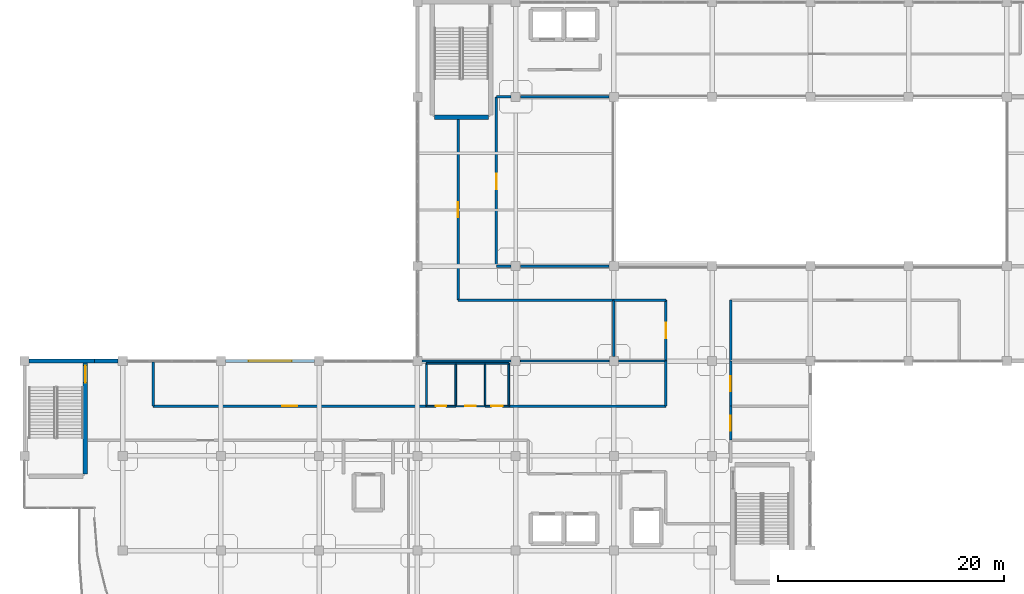
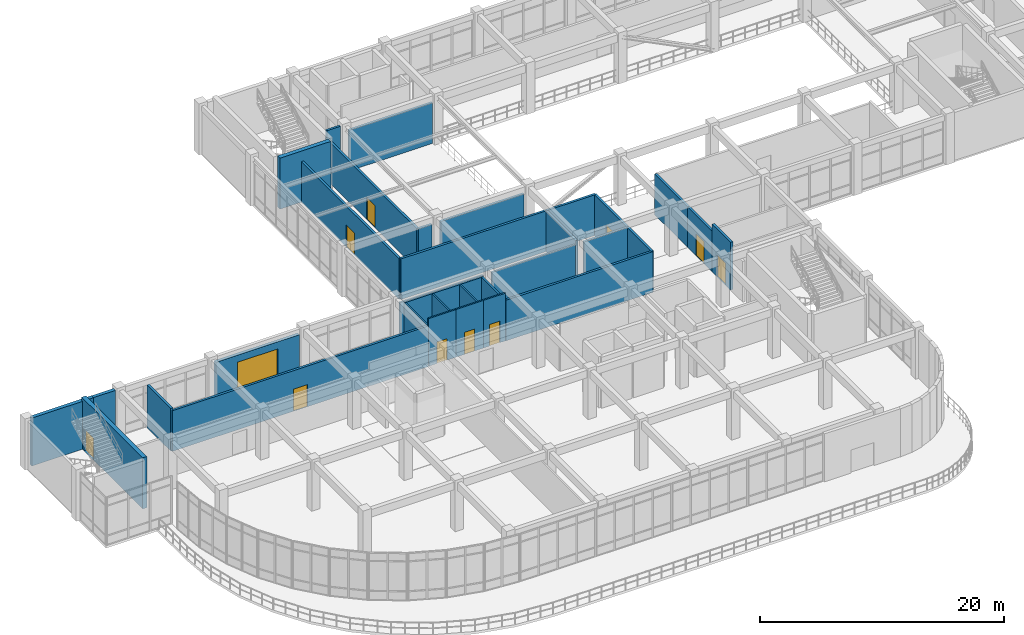
# One storey, part 80 of 96: 35 walls, 10 doors, 1 window, 11 openings.
"""IFC4 building model written with IfcOpenShell, lengths in metres."""

from ifc_helpers import new_model, si_unit, derived_unit, direction, frame, frame_2d, origin, place, context, subcontext, project, spatial, rectangle, extrude, material, layer, layer_set, type_object, element, fill, save


model = new_model("IFC4")

# Units and contexts
model_context = context("Model", 3, precision=1e-05, world=origin(), true_north=direction((0.0, 1.0)))
body_context = subcontext(model_context, "Body", "Model", "MODEL_VIEW")
ifc_project = project(units=[si_unit("LENGTHUNIT", "METRE"), si_unit("AREAUNIT", "SQUARE_METRE"), si_unit("VOLUMEUNIT", "CUBIC_METRE"), si_unit("PLANEANGLEUNIT", "RADIAN"), si_unit("MASSUNIT", "GRAM", prefix="KILO"), derived_unit("THERMALTRANSMITTANCEUNIT", [(si_unit("MASSUNIT", "GRAM", prefix="KILO"), 1), (si_unit("TIMEUNIT", "SECOND"), -3), (si_unit("THERMODYNAMICTEMPERATUREUNIT", "KELVIN"), -1)])], contexts=[model_context])

# Site, building, storey
site_placement = place(None, origin())
site = spatial("IfcSite", under=ifc_project, at=site_placement, CompositionType="ELEMENT")
building_placement = place(site_placement, origin())
building = spatial("IfcBuilding", under=site, at=building_placement, Name="Qinzheling Arcade Emporium", CompositionType="ELEMENT")
storey_placement = place(building_placement, frame((0.0, 0.0, 21.60009765625)))
storey = spatial("IfcBuildingStorey", under=building, at=storey_placement, Name="L05", CompositionType="ELEMENT", Elevation=21.60009765625)

# Wall, opening, door
ifc_material_1 = material(Name="Double-stud acoustic gypsum board partition")
ifc_layer_1 = layer(ifc_material_1, 0.215087890625, Name="Double-stud acoustic gypsum board partition")
ifc_layer_set_1 = layer_set([ifc_layer_1], Name="Double-stud acoustic gypsum board partition")
wall_type_1 = type_object("IfcWallType", Name="Acoustic Corridor Partition Wall 215", PredefinedType="PARTITIONING", material=ifc_layer_set_1)
wall_1_placement = place(storey_placement, frame((62.550048828125, 42.0, 0.0), z_axis=(0.0, 0.0, 1.0), x_axis=(0.0, -1.0, 0.0)))
wall_1 = element("IfcWall", 1, at=wall_1_placement, inside=storey, type_object=wall_type_1, Name="Interior Wall WL-L05-INT-0739", PredefinedType="PARTITIONING", context=body_context, shape_type="SweptSolid", body=[
    extrude(rectangle(XDim=4.0, YDim=0.215087890625, at=frame_2d((2.0, 0.0))), origin(), (0.0, 0.0, 1.0), 4.059814453125),
])
opening_1_placement = place(wall_1_placement, frame((1.324951171875, 0.0, 0.0)))
opening_1 = element("IfcOpeningElement", 2, at=opening_1_placement, cuts=wall_1, Name="Opening FD05", PredefinedType="OPENING", context=body_context, shape_type="SweptSolid", body=[
    extrude(rectangle(XDim=1.35009765625, YDim=2.199951171875, at=frame_2d((0.675048828125, 1.10009765625))), frame((0.0, 0.11767578125, 0.0), z_axis=(0.0, -1.0, 0.0), x_axis=(1.0, 0.0, 0.0)), (0.0, 0.0, 1.0), 0.235107421875),
])
ifc_material_2 = material(Name="Class B fire-rated stainless-clad door")
door_type_1 = type_object("IfcDoorType", Name="Kitchen Fire-Rated Service Door 1350x2200", OperationType="NOTDEFINED", PredefinedType="DOOR", material=ifc_material_2)
door_1_placement = place(opening_1_placement, origin())
door_1 = element("IfcDoor", 3, at=door_1_placement, inside=storey, type_object=door_type_1, Name="FD05 Interior Door DR-L05-INT-0206", OperationType="SINGLE_SWING_LEFT", OverallHeight=2.199951171875, OverallWidth=1.35009765625, PredefinedType="DOOR", context=body_context, shape_type="SweptSolid", body=[
    extrude(rectangle(XDim=1.35009765625, YDim=2.199951171875, at=frame_2d((0.675048828125, 1.10009765625))), frame((0.0, 0.02490234375, 0.0), z_axis=(0.0, -1.0, 0.0), x_axis=(1.0, 0.0, 0.0)), (0.0, 0.0, 1.0), 0.050048828125),
])
fill(opening_1, door_1)

# Wall
wall_2_placement = place(storey_placement, frame((11.39990234375, 41.89990234375, 0.0), z_axis=(0.0, 0.0, 1.0), x_axis=(0.0, -1.0, 0.0)))
element("IfcWall", 4, at=wall_2_placement, inside=storey, type_object=wall_type_1, Name="Interior Wall WL-L05-INT-0740", PredefinedType="PARTITIONING", context=body_context, shape_type="SweptSolid", body=[
    extrude(rectangle(XDim=3.89990234375, YDim=0.215087890625, at=frame_2d((1.949951171875, 0.0))), origin(), (0.0, 0.0, 1.0), 4.260009765625),
])

# Wall, opening, door
wall_3_placement = place(storey_placement, frame((11.39990234375, 38.0, 0.0), z_axis=(0.0, 0.0, 1.0), x_axis=(1.0, 0.0, 0.0)))
wall_3 = element("IfcWall", 5, at=wall_3_placement, inside=storey, type_object=wall_type_1, Name="Interior Wall WL-L05-INT-0741", PredefinedType="PARTITIONING", context=body_context, shape_type="SweptSolid", body=[
    extrude(rectangle(XDim=24.2001953125, YDim=0.215087890625, at=frame_2d((12.10009765625, 0.0))), origin(), (0.0, 0.0, 1.0), 4.059814453125),
])
opening_2_placement = place(wall_3_placement, frame((11.425048828125, 0.0, 0.0)))
opening_2 = element("IfcOpeningElement", 6, at=opening_2_placement, cuts=wall_3, Name="Opening FD05", PredefinedType="OPENING", context=body_context, shape_type="SweptSolid", body=[
    extrude(rectangle(XDim=1.35009765625, YDim=2.199951171875, at=frame_2d((0.675048828125, 1.10009765625))), frame((0.0, 0.11767578125, 0.0), z_axis=(0.0, -1.0, 0.0), x_axis=(1.0, 0.0, 0.0)), (0.0, 0.0, 1.0), 0.235107421875),
])
door_2_placement = place(opening_2_placement, origin())
door_2 = element("IfcDoor", 7, at=door_2_placement, inside=storey, type_object=door_type_1, Name="FD05 Interior Door DR-L05-INT-0207", OperationType="SINGLE_SWING_RIGHT", OverallHeight=2.199951171875, OverallWidth=1.35009765625, PredefinedType="DOOR", context=body_context, shape_type="SweptSolid", body=[
    extrude(rectangle(XDim=1.35009765625, YDim=2.199951171875, at=frame_2d((0.675048828125, 1.10009765625))), frame((0.0, 0.02490234375, 0.0), z_axis=(0.0, -1.0, 0.0), x_axis=(1.0, 0.0, 0.0)), (0.0, 0.0, 1.0), 0.050048828125),
])
fill(opening_2, door_2)

# Walls
wall_4_placement = place(storey_placement, frame((42.89990234375, 38.0, 0.0), z_axis=(0.0, 0.0, 1.0), x_axis=(1.0, 0.0, 0.0)))
element("IfcWall", 8, at=wall_4_placement, inside=storey, type_object=wall_type_1, Name="Interior Wall WL-L05-INT-0742", PredefinedType="PARTITIONING", context=body_context, shape_type="SweptSolid", body=[
    extrude(rectangle(XDim=13.900146484375, YDim=0.215087890625, at=frame_2d((6.9501953125, 0.0))), origin(), (0.0, 0.0, 1.0), 4.059814453125),
])
wall_5_placement = place(storey_placement, frame((56.800048828125, 38.0, 0.0), z_axis=(0.0, 0.0, 1.0), x_axis=(0.0, 1.0, 0.0)))
element("IfcWall", 9, at=wall_5_placement, inside=storey, type_object=wall_type_1, Name="Interior Wall WL-L05-INT-0743", PredefinedType="PARTITIONING", context=body_context, shape_type="SweptSolid", body=[
    extrude(rectangle(XDim=4.0, YDim=0.215087890625, at=frame_2d((2.0, 0.0))), origin(), (0.0, 0.0, 1.0), 4.059814453125),
])
wall_6_placement = place(storey_placement, frame((52.199951171875, 47.39990234375, 0.0), z_axis=(0.0, 0.0, 1.0), x_axis=(-1.0, 0.0, 0.0)))
element("IfcWall", 10, at=wall_6_placement, inside=storey, type_object=wall_type_1, Name="Interior Wall WL-L05-INT-0752", PredefinedType="PARTITIONING", context=body_context, shape_type="SweptSolid", body=[
    extrude(rectangle(XDim=13.800048828125, YDim=0.215087890625, at=frame_2d((6.89990234375, 0.0))), origin(), (0.0, 0.0, 1.0), 4.059814453125),
])

# Wall, opening, door
wall_7_placement = place(storey_placement, frame((38.39990234375, 47.39990234375, 0.0), z_axis=(0.0, 0.0, 1.0), x_axis=(0.0, 1.0, 0.0)))
wall_7 = element("IfcWall", 11, at=wall_7_placement, inside=storey, type_object=wall_type_1, Name="Interior Wall WL-L05-INT-0753", PredefinedType="PARTITIONING", context=body_context, shape_type="SweptSolid", body=[
    extrude(rectangle(XDim=15.9951171875, YDim=0.215087890625, at=frame_2d((7.99755859375, 0.0))), origin(), (0.0, 0.0, 1.0), 4.059814453125),
])
opening_3_placement = place(wall_7_placement, frame((7.322998046875, 0.0, 0.0)))
opening_3 = element("IfcOpeningElement", 12, at=opening_3_placement, cuts=wall_7, Name="Opening FD05", PredefinedType="OPENING", context=body_context, shape_type="SweptSolid", body=[
    extrude(rectangle(XDim=1.35009765625, YDim=2.199951171875, at=frame_2d((0.675048828125, 1.10009765625))), frame((0.0, 0.11767578125, 0.0), z_axis=(0.0, -1.0, 0.0), x_axis=(1.0, 0.0, 0.0)), (0.0, 0.0, 1.0), 0.235107421875),
])
door_3_placement = place(opening_3_placement, origin())
door_3 = element("IfcDoor", 13, at=door_3_placement, inside=storey, type_object=door_type_1, Name="FD05 Interior Door DR-L05-INT-0210", OperationType="SINGLE_SWING_LEFT", OverallHeight=2.199951171875, OverallWidth=1.35009765625, PredefinedType="DOOR", context=body_context, shape_type="SweptSolid", body=[
    extrude(rectangle(XDim=1.35009765625, YDim=2.199951171875, at=frame_2d((0.675048828125, 1.10009765625))), frame((0.0, 0.02490234375, 0.0), z_axis=(0.0, -1.0, 0.0), x_axis=(1.0, 0.0, 0.0)), (0.0, 0.0, 1.0), 0.050048828125),
])
fill(opening_3, door_3)

# Walls
wall_8_placement = place(storey_placement, frame((51.7900390625, 65.39990234375, 0.0), z_axis=(0.0, 0.0, 1.0), x_axis=(-1.0, 0.0, 0.0)))
element("IfcWall", 14, at=wall_8_placement, inside=storey, type_object=wall_type_1, Name="Interior Wall WL-L05-INT-0754", PredefinedType="PARTITIONING", context=body_context, shape_type="SweptSolid", body=[
    extrude(rectangle(XDim=7.880126953125, YDim=0.215087890625, at=frame_2d((3.93994140625, 0.0))), origin(), (0.0, 0.0, 1.0), 4.059814453125),
])
wall_9_placement = place(storey_placement, frame((43.090087890625, 65.39990234375, 0.0), z_axis=(0.0, 0.0, 1.0), x_axis=(-1.0, 0.0, 0.0)))
element("IfcWall", 15, at=wall_9_placement, inside=storey, type_object=wall_type_1, Name="Interior Wall WL-L05-INT-0755", PredefinedType="PARTITIONING", context=body_context, shape_type="SweptSolid", body=[
    extrude(rectangle(XDim=1.2900390625, YDim=0.215087890625, at=frame_2d((0.64501953125, 0.0))), origin(), (0.0, 0.0, 1.0), 4.760009765625),
])

# Wall, opening, door
wall_10_placement = place(storey_placement, frame((41.800048828125, 65.39990234375, 0.0), z_axis=(0.0, 0.0, 1.0), x_axis=(0.0, -1.0, 0.0)))
wall_10 = element("IfcWall", 16, at=wall_10_placement, inside=storey, type_object=wall_type_1, Name="Interior Wall WL-L05-INT-0756", PredefinedType="PARTITIONING", context=body_context, shape_type="SweptSolid", body=[
    extrude(rectangle(XDim=15.0, YDim=0.215087890625, at=frame_2d((7.5, 0.0))), origin(), (0.0, 0.0, 1.0), 4.059814453125),
])
opening_4_placement = place(wall_10_placement, frame((6.824951171875, 0.0, 0.0)))
opening_4 = element("IfcOpeningElement", 17, at=opening_4_placement, cuts=wall_10, Name="Opening FD05", PredefinedType="OPENING", context=body_context, shape_type="SweptSolid", body=[
    extrude(rectangle(XDim=1.35009765625, YDim=2.199951171875, at=frame_2d((0.675048828125, 1.10009765625))), frame((0.0, 0.11767578125, 0.0), z_axis=(0.0, -1.0, 0.0), x_axis=(1.0, 0.0, 0.0)), (0.0, 0.0, 1.0), 0.235107421875),
])
door_4_placement = place(opening_4_placement, origin())
door_4 = element("IfcDoor", 18, at=door_4_placement, inside=storey, type_object=door_type_1, Name="FD05 Interior Door DR-L05-INT-0211", OperationType="SINGLE_SWING_RIGHT", OverallHeight=2.199951171875, OverallWidth=1.35009765625, PredefinedType="DOOR", context=body_context, shape_type="SweptSolid", body=[
    extrude(rectangle(XDim=1.35009765625, YDim=2.199951171875, at=frame_2d((0.675048828125, 1.10009765625))), frame((0.0, 0.02490234375, 0.0), z_axis=(0.0, -1.0, 0.0), x_axis=(1.0, 0.0, 0.0)), (0.0, 0.0, 1.0), 0.050048828125),
])
fill(opening_4, door_4)

# Walls
wall_11_placement = place(storey_placement, frame((41.800048828125, 50.39990234375, 0.0), z_axis=(0.0, 0.0, 1.0), x_axis=(1.0, 0.0, 0.0)))
element("IfcWall", 19, at=wall_11_placement, inside=storey, type_object=wall_type_1, Name="Interior Wall WL-L05-INT-0757", PredefinedType="PARTITIONING", context=body_context, shape_type="SweptSolid", body=[
    extrude(rectangle(XDim=1.2900390625, YDim=0.215087890625, at=frame_2d((0.64501953125, 0.0))), origin(), (0.0, 0.0, 1.0), 4.059814453125),
])
wall_12_placement = place(storey_placement, frame((43.909912109375, 50.39990234375, 0.0), z_axis=(0.0, 0.0, 1.0), x_axis=(1.0, 0.0, 0.0)))
element("IfcWall", 20, at=wall_12_placement, inside=storey, type_object=wall_type_1, Name="Interior Wall WL-L05-INT-0758", PredefinedType="PARTITIONING", context=body_context, shape_type="SweptSolid", body=[
    extrude(rectangle(XDim=7.880126953125, YDim=0.215087890625, at=frame_2d((3.93994140625, 0.0))), origin(), (0.0, 0.0, 1.0), 4.059814453125),
])
wall_13_placement = place(storey_placement, frame((62.550048828125, 47.39990234375, 0.0), z_axis=(0.0, 0.0, 1.0), x_axis=(0.0, -1.0, 0.0)))
element("IfcWall", 21, at=wall_13_placement, inside=storey, type_object=wall_type_1, Name="Interior Wall WL-L05-INT-0762", PredefinedType="PARTITIONING", context=body_context, shape_type="SweptSolid", body=[
    extrude(rectangle(XDim=5.39990234375, YDim=0.215087890625, at=frame_2d((2.699951171875, 0.0))), origin(), (0.0, 0.0, 1.0), 4.059814453125),
])

# Wall, opening, door
wall_14_placement = place(storey_placement, frame((56.800048828125, 42.0, 0.0), z_axis=(0.0, 0.0, 1.0), x_axis=(0.0, 1.0, 0.0)))
wall_14 = element("IfcWall", 22, at=wall_14_placement, inside=storey, type_object=wall_type_1, Name="Interior Wall WL-L05-INT-0763", PredefinedType="PARTITIONING", context=body_context, shape_type="SweptSolid", body=[
    extrude(rectangle(XDim=5.39990234375, YDim=0.215087890625, at=frame_2d((2.699951171875, 0.0))), origin(), (0.0, 0.0, 1.0), 4.059814453125),
])
opening_5_placement = place(wall_14_placement, frame((2.02490234375, 0.0, 0.0)))
opening_5 = element("IfcOpeningElement", 23, at=opening_5_placement, cuts=wall_14, Name="Opening FD05", PredefinedType="OPENING", context=body_context, shape_type="SweptSolid", body=[
    extrude(rectangle(XDim=1.35009765625, YDim=2.199951171875, at=frame_2d((0.675048828125, 1.10009765625))), frame((0.0, 0.11767578125, 0.0), z_axis=(0.0, -1.0, 0.0), x_axis=(1.0, 0.0, 0.0)), (0.0, 0.0, 1.0), 0.235107421875),
])
door_5_placement = place(opening_5_placement, origin())
door_5 = element("IfcDoor", 24, at=door_5_placement, inside=storey, type_object=door_type_1, Name="FD05 Interior Door DR-L05-INT-0214", OperationType="SINGLE_SWING_LEFT", OverallHeight=2.199951171875, OverallWidth=1.35009765625, PredefinedType="DOOR", context=body_context, shape_type="SweptSolid", body=[
    extrude(rectangle(XDim=1.35009765625, YDim=2.199951171875, at=frame_2d((0.675048828125, 1.10009765625))), frame((0.0, 0.02490234375, 0.0), z_axis=(0.0, -1.0, 0.0), x_axis=(1.0, 0.0, 0.0)), (0.0, 0.0, 1.0), 0.050048828125),
])
fill(opening_5, door_5)

# Wall
wall_15_placement = place(storey_placement, frame((56.800048828125, 47.39990234375, 0.0), z_axis=(0.0, 0.0, 1.0), x_axis=(-1.0, 0.0, 0.0)))
element("IfcWall", 25, at=wall_15_placement, inside=storey, type_object=wall_type_1, Name="Interior Wall WL-L05-INT-0764", PredefinedType="PARTITIONING", context=body_context, shape_type="SweptSolid", body=[
    extrude(rectangle(XDim=4.60009765625, YDim=0.215087890625, at=frame_2d((2.300048828125, 0.0))), origin(), (0.0, 0.0, 1.0), 4.059814453125),
])

# Wall, opening, door
wall_16_placement = place(storey_placement, frame((62.550048828125, 38.0, 0.0), z_axis=(0.0, 0.0, 1.0), x_axis=(0.0, -1.0, 0.0)))
wall_16 = element("IfcWall", 26, at=wall_16_placement, inside=storey, type_object=wall_type_1, Name="Interior Wall WL-L05-INT-0775", PredefinedType="PARTITIONING", context=body_context, shape_type="SweptSolid", body=[
    extrude(rectangle(XDim=3.0, YDim=0.215087890625, at=frame_2d((1.5, 0.0))), origin(), (0.0, 0.0, 1.0), 4.760009765625),
])
opening_6_placement = place(wall_16_placement, frame((0.824951171875, 0.0, 0.0)))
opening_6 = element("IfcOpeningElement", 27, at=opening_6_placement, cuts=wall_16, Name="Opening FD05", PredefinedType="OPENING", context=body_context, shape_type="SweptSolid", body=[
    extrude(rectangle(XDim=1.35009765625, YDim=2.199951171875, at=frame_2d((0.675048828125, 1.10009765625))), frame((0.0, 0.11767578125, 0.0), z_axis=(0.0, -1.0, 0.0), x_axis=(1.0, 0.0, 0.0)), (0.0, 0.0, 1.0), 0.235107421875),
])
door_6_placement = place(opening_6_placement, origin())
door_6 = element("IfcDoor", 28, at=door_6_placement, inside=storey, type_object=door_type_1, Name="FD05 Interior Door DR-L05-INT-0225", OperationType="SINGLE_SWING_RIGHT", OverallHeight=2.199951171875, OverallWidth=1.35009765625, PredefinedType="DOOR", context=body_context, shape_type="SweptSolid", body=[
    extrude(rectangle(XDim=1.35009765625, YDim=2.199951171875, at=frame_2d((0.675048828125, 1.10009765625))), frame((0.0, 0.02490234375, 0.0), z_axis=(0.0, -1.0, 0.0), x_axis=(1.0, 0.0, 0.0)), (0.0, 0.0, 1.0), 0.050048828125),
])
fill(opening_6, door_6)

# Walls
wall_17_placement = place(storey_placement, frame((52.199951171875, 47.39990234375, 0.0), z_axis=(0.0, 0.0, 1.0), x_axis=(0.0, -1.0, 0.0)))
element("IfcWall", 29, at=wall_17_placement, inside=storey, type_object=wall_type_1, Name="Interior Wall WL-L05-INT-0783", PredefinedType="PARTITIONING", context=body_context, shape_type="SweptSolid", body=[
    extrude(rectangle(XDim=4.989990234375, YDim=0.215087890625, at=frame_2d((2.4951171875, 0.0))), origin(), (0.0, 0.0, 1.0), 4.059814453125),
])
ifc_material_3 = material(Name="Demountable aluminium-and-gypsum retail partition", Category="aluminium")
ifc_layer_2 = layer(ifc_material_3, 0.1650390625, Name="Demountable aluminium-and-gypsum retail partition", Category="aluminium")
ifc_layer_set_2 = layer_set([ifc_layer_2], Name="Demountable aluminium-and-gypsum retail partition")
wall_type_2 = type_object("IfcWallType", Name="Boutique Demountable Partition Wall 165", PredefinedType="PARTITIONING", material=ifc_layer_set_2)
for number, where, z_axis, x_axis, name in (
    (30, (35.2099609375, 42.0, 0.0), (0.0, 0.0, 1.0), (1.0, 0.0, 0.0), "Interior Wall WL-L05-INT-0778"),
    (31, (43.909912109375, 42.0, 0.0), (0.0, 0.0, 1.0), (1.0, 0.0, 0.0), "Interior Wall WL-L05-INT-0779"),
):
    element("IfcWall", number, at=place(storey_placement, frame(where, z_axis=z_axis, x_axis=x_axis)), inside=storey, type_object=wall_type_2, Name=name, PredefinedType="PARTITIONING", context=body_context, shape_type="SweptSolid", body=[
        extrude(rectangle(XDim=7.880126953125, YDim=0.1650390625, at=frame_2d((3.93994140625, 0.0))), origin(), (0.0, 0.0, 1.0), 4.059814453125),
    ])
ifc_material_4 = material(Name="Celadon glazed terracotta insulated spandrel", Category="masonry")
ifc_layer_3 = layer(ifc_material_4, 0.340087890625, Name="Celadon glazed terracotta insulated spandrel", Category="masonry")
ifc_layer_set_3 = layer_set([ifc_layer_3], Name="Celadon glazed terracotta insulated spandrel")
wall_type_3 = type_object("IfcWallType", Name="Celadon Spandrel Infill Wall 340", PredefinedType="STANDARD", material=ifc_layer_set_3)
wall_18_placement = place(storey_placement, frame((0.402099609375, 42.0, 0.0), z_axis=(0.0, 0.0, 1.0), x_axis=(1.0, 0.0, 0.0)))
element("IfcWall", 32, at=wall_18_placement, inside=storey, type_object=wall_type_3, Name="Exterior Wall WL-L05-EW-0276", PredefinedType="STANDARD", context=body_context, shape_type="SweptSolid", body=[
    extrude(rectangle(XDim=5.7978515625, YDim=0.340087890625, at=frame_2d((2.89892578125, 0.0))), origin(), (0.0, 0.0, 1.0), 4.789794921875),
])
ifc_material_5 = material(Name="Glazed cream terracotta insulated wall", Category="masonry")
ifc_layer_4 = layer(ifc_material_5, 0.320068359375, Name="Glazed cream terracotta insulated wall", Category="masonry")
ifc_layer_set_4 = layer_set([ifc_layer_4], Name="Glazed cream terracotta insulated wall")
wall_type_4 = type_object("IfcWallType", Name="Chicago Frame Infill Wall 320", PredefinedType="STANDARD", material=ifc_layer_set_4)
wall_19_placement = place(storey_placement, frame((6.199951171875, 42.0, 0.0), z_axis=(0.0, 0.0, 1.0), x_axis=(1.0, 0.0, 0.0)))
element("IfcWall", 33, at=wall_19_placement, inside=storey, type_object=wall_type_4, Name="Exterior Wall WL-L05-EW-0277", PredefinedType="STANDARD", context=body_context, shape_type="SweptSolid", body=[
    extrude(rectangle(XDim=2.09814453125, YDim=0.320068359375, at=frame_2d((1.049072265625, 0.0))), origin(), (0.0, 0.0, 1.0), 4.789794921875),
])
ifc_material_6 = material(Name="Acoustic gypsum gallery partition")
ifc_layer_5 = layer(ifc_material_6, 0.205078125, Name="Acoustic gypsum gallery partition")
ifc_layer_set_5 = layer_set([ifc_layer_5], Name="Acoustic gypsum gallery partition")
wall_type_5 = type_object("IfcWallType", Name="Gallery Display Partition Wall 205", PredefinedType="PARTITIONING", material=ifc_layer_set_5)
wall_20_placement = place(storey_placement, frame((52.610107421875, 42.0, 0.0), z_axis=(0.0, 0.0, 1.0), x_axis=(1.0, 0.0, 0.0)))
element("IfcWall", 34, at=wall_20_placement, inside=storey, type_object=wall_type_5, Name="Interior Wall WL-L05-INT-0780", PredefinedType="PARTITIONING", context=body_context, shape_type="SweptSolid", body=[
    extrude(rectangle(XDim=4.18994140625, YDim=0.205078125, at=frame_2d((2.094970703125, 0.0))), origin(), (0.0, 0.0, 1.0), 4.059814453125),
])
ifc_material_7 = material(Name="Moisture-resistant shaftliner gypsum board")
ifc_layer_6 = layer(ifc_material_7, 0.155029296875, Name="Moisture-resistant shaftliner gypsum board")
ifc_layer_set_6 = layer_set([ifc_layer_6], Name="Moisture-resistant shaftliner gypsum board")
wall_type_6 = type_object("IfcWallType", Name="Plumbing and Service Riser Wall 155", PredefinedType="MOVABLE", material=ifc_layer_set_6)
wall_21_placement = place(storey_placement, frame((38.199951171875, 41.800048828125, 0.0), z_axis=(0.0, 0.0, 1.0), x_axis=(0.0, -1.0, 0.0)))
element("IfcWall", 35, at=wall_21_placement, inside=storey, type_object=wall_type_6, Name="Interior Wall WL-L05-INT-0709", PredefinedType="MOVABLE", context=body_context, shape_type="SweptSolid", body=[
    extrude(rectangle(XDim=3.800048828125, YDim=0.155029296875, at=frame_2d((1.89990234375, 0.0))), origin(), (0.0, 0.0, 1.0), 4.059814453125),
])
wall_22_placement = place(storey_placement, frame((35.60009765625, 41.800048828125, 0.0), z_axis=(0.0, 0.0, 1.0), x_axis=(1.0, 0.0, 0.0)))
element("IfcWall", 36, at=wall_22_placement, inside=storey, type_object=wall_type_6, Name="Interior Wall WL-L05-INT-0712", PredefinedType="MOVABLE", context=body_context, shape_type="SweptSolid", body=[
    extrude(rectangle(XDim=2.599853515625, YDim=0.155029296875, at=frame_2d((1.2998046875, 0.0))), origin(), (0.0, 0.0, 1.0), 4.059814453125),
])
wall_23_placement = place(storey_placement, frame((38.199951171875, 41.800048828125, 0.0), z_axis=(0.0, 0.0, 1.0), x_axis=(1.0, 0.0, 0.0)))
element("IfcWall", 37, at=wall_23_placement, inside=storey, type_object=wall_type_6, Name="Interior Wall WL-L05-INT-0715", PredefinedType="MOVABLE", context=body_context, shape_type="SweptSolid", body=[
    extrude(rectangle(XDim=2.60009765625, YDim=0.155029296875, at=frame_2d((1.300048828125, 0.0))), origin(), (0.0, 0.0, 1.0), 4.059814453125),
])
wall_24_placement = place(storey_placement, frame((42.89990234375, 41.800048828125, 0.0), z_axis=(0.0, 0.0, 1.0), x_axis=(0.0, -1.0, 0.0)))
element("IfcWall", 38, at=wall_24_placement, inside=storey, type_object=wall_type_6, Name="Interior Wall WL-L05-INT-0718", PredefinedType="MOVABLE", context=body_context, shape_type="SweptSolid", body=[
    extrude(rectangle(XDim=3.800048828125, YDim=0.155029296875, at=frame_2d((1.89990234375, 0.0))), origin(), (0.0, 0.0, 1.0), 4.059814453125),
])

# Wall, opening, door
ifc_material_8 = material(Name="Concrete C50", Category="concrete")
ifc_layer_7 = layer(ifc_material_8, 0.39990234375, Name="Concrete C50", Category="concrete")
ifc_layer_set_7 = layer_set([ifc_layer_7], Name="Concrete C50")
wall_type_7 = type_object("IfcWallType", Name="RC Stair Core Shear Wall 400 C50", PredefinedType="SHEAR", material=ifc_layer_set_7)
wall_25_placement = place(storey_placement, frame((5.389892578125, 42.0, 0.0), z_axis=(0.0, 0.0, 1.0), x_axis=(0.0, -1.0, 0.0)))
wall_25 = element("IfcWall", 39, at=wall_25_placement, inside=storey, type_object=wall_type_7, Name="Stair Core Wall WL-L05-ST02-EAST", PredefinedType="SHEAR", context=body_context, shape_type="SweptSolid", body=[
    extrude(rectangle(XDim=10.0, YDim=0.39990234375, at=frame_2d((5.0, 0.0))), origin(), (0.0, 0.0, 1.0), 5.099853515625),
])
opening_7_placement = place(wall_25_placement, frame((0.409912109375, 0.0, 0.0)))
opening_7 = element("IfcOpeningElement", 40, at=opening_7_placement, cuts=wall_25, Name="Opening FD01", PredefinedType="OPENING", context=body_context, shape_type="SweptSolid", body=[
    extrude(rectangle(XDim=1.5, YDim=2.199951171875, at=frame_2d((0.75, 1.10009765625))), frame((0.0, 0.2099609375, 0.0), z_axis=(0.0, -1.0, 0.0), x_axis=(1.0, 0.0, 0.0)), (0.0, 0.0, 1.0), 0.419921875),
])
ifc_material_9 = material(Name="Class A fire-rated steel double door", Category="steel")
door_type_2 = type_object("IfcDoorType", Name="Stairwell Smoke-Proof Fire Door 1500x2200", OperationType="DOUBLE_DOOR_SINGLE_SWING", PredefinedType="DOOR", material=ifc_material_9)
door_7_placement = place(opening_7_placement, origin())
door_7 = element("IfcDoor", 41, at=door_7_placement, inside=storey, type_object=door_type_2, Name="FD01 Stairwell Fire Door DR-L05-ST02-FD", OperationType="DOUBLE_DOOR_SINGLE_SWING", OverallHeight=2.199951171875, OverallWidth=1.5, PredefinedType="DOOR", context=body_context, shape_type="SweptSolid", body=[
    extrude(rectangle(XDim=1.5, YDim=2.199951171875, at=frame_2d((0.75, 1.10009765625))), frame((0.0, 0.02490234375, 0.0), z_axis=(0.0, -1.0, 0.0), x_axis=(1.0, 0.0, 0.0)), (0.0, 0.0, 1.0), 0.050048828125),
])
fill(opening_7, door_7)

# Wall
wall_26_placement = place(storey_placement, frame((41.090087890625, 63.60009765625, 0.0), z_axis=(0.0, 0.0, 1.0), x_axis=(-1.0, 0.0, 0.0)))
element("IfcWall", 42, at=wall_26_placement, inside=storey, type_object=wall_type_7, Name="Stair Core Wall WL-L05-ST03-SOUTH", PredefinedType="SHEAR", context=body_context, shape_type="SweptSolid", body=[
    extrude(rectangle(XDim=4.7900390625, YDim=0.39990234375, at=frame_2d((2.39501953125, 0.0))), origin(), (0.0, 0.0, 1.0), 5.099853515625),
])

# Wall, opening, window
ifc_layer_8 = layer(ifc_material_5, 0.300048828125, Name="Glazed cream terracotta insulated wall", Category="masonry")
ifc_layer_set_8 = layer_set([ifc_layer_8], Name="Glazed cream terracotta insulated wall")
wall_type_8 = type_object("IfcWallType", Name="Terrace Facade Infill Wall 300", PredefinedType="STANDARD", material=ifc_layer_set_8)
wall_27_placement = place(storey_placement, frame((17.802001953125, 42.0, 0.0), z_axis=(0.0, 0.0, 1.0), x_axis=(1.0, 0.0, 0.0)))
wall_27 = element("IfcWall", 43, at=wall_27_placement, inside=storey, type_object=wall_type_8, Name="Exterior Wall WL-L05-EW-0278", PredefinedType="STANDARD", context=body_context, shape_type="SweptSolid", body=[
    extrude(rectangle(XDim=7.89599609375, YDim=0.300048828125, at=frame_2d((3.947998046875, 0.0))), origin(), (0.0, 0.0, 1.0), 4.2548828125),
])
opening_8_placement = place(wall_27_placement, frame((2.048095703125, 0.0, 0.85009765625)))
opening_8 = element("IfcOpeningElement", 44, at=opening_8_placement, cuts=wall_27, Name="Opening WN19", PredefinedType="OPENING", context=body_context, shape_type="SweptSolid", body=[
    extrude(rectangle(XDim=3.800048828125, YDim=2.699951171875, at=frame_2d((1.89990234375, 1.35009765625))), frame((0.0, 0.16015625, 0.0), z_axis=(0.0, -1.0, 0.0), x_axis=(1.0, 0.0, 0.0)), (0.0, 0.0, 1.0), 0.320068359375),
])
ifc_material_10 = material(Name="Thermally broken aluminium frame with solar-control double glazing", Category="aluminium")
window_type = type_object("IfcWindowType", Name="Chicago Tripartite Window 3800x2700", PartitioningType="TRIPLE_PANEL_VERTICAL", PredefinedType="WINDOW", material=ifc_material_10)
window_placement = place(opening_8_placement, origin())
window = element("IfcWindow", 45, at=window_placement, inside=storey, type_object=window_type, Name="WN19 Window WN-L05-0069", OverallHeight=2.699951171875, OverallWidth=3.800048828125, PartitioningType="TRIPLE_PANEL_VERTICAL", PredefinedType="WINDOW", context=body_context, shape_type="SweptSolid", body=[
    extrude(rectangle(XDim=3.800048828125, YDim=2.699951171875, at=frame_2d((1.89990234375, 1.35009765625))), frame((0.0, 0.030029296875, 0.0), z_axis=(0.0, -1.0, 0.0), x_axis=(1.0, 0.0, 0.0)), (0.0, 0.0, 1.0), 0.06005859375),
])
fill(opening_8, window)

# Wall, opening, door
ifc_material_11 = material(Name="Moisture-resistant cement-board WC partition")
ifc_layer_9 = layer(ifc_material_11, 0.14501953125, Name="Moisture-resistant cement-board WC partition")
ifc_layer_set_9 = layer_set([ifc_layer_9], Name="Moisture-resistant cement-board WC partition")
wall_type_9 = type_object("IfcWallType", Name="Washroom Moisture Partition Wall 145", PredefinedType="PARTITIONING", material=ifc_layer_set_9)
wall_28_placement = place(storey_placement, frame((38.199951171875, 38.0, 0.0), z_axis=(0.0, 0.0, 1.0), x_axis=(-1.0, 0.0, 0.0)))
wall_28 = element("IfcWall", 46, at=wall_28_placement, inside=storey, type_object=wall_type_9, Name="Interior Wall WL-L05-INT-0710", PredefinedType="PARTITIONING", context=body_context, shape_type="SweptSolid", body=[
    extrude(rectangle(XDim=2.599853515625, YDim=0.14501953125, at=frame_2d((1.2998046875, 0.0))), origin(), (0.0, 0.0, 1.0), 4.760009765625),
])
opening_9_placement = place(wall_28_placement, frame((0.824951171875, 0.0, 0.0)))
opening_9 = element("IfcOpeningElement", 47, at=opening_9_placement, cuts=wall_28, Name="Opening D12", PredefinedType="OPENING", context=body_context, shape_type="SweptSolid", body=[
    extrude(rectangle(XDim=0.949951171875, YDim=2.14990234375, at=frame_2d((0.47509765625, 1.074951171875))), frame((0.0, 0.08251953125, 0.0), z_axis=(0.0, -1.0, 0.0), x_axis=(1.0, 0.0, 0.0)), (0.0, 0.0, 1.0), 0.1650390625),
])
ifc_material_12 = material(Name="Antimicrobial high-pressure laminate door")
door_type_3 = type_object("IfcDoorType", Name="Public Male Washroom Door 950x2150", OperationType="NOTDEFINED", PredefinedType="DOOR", material=ifc_material_12)
door_8_placement = place(opening_9_placement, origin())
door_8 = element("IfcDoor", 48, at=door_8_placement, inside=storey, type_object=door_type_3, Name="D12 Interior Door DR-L05-INT-0201", OperationType="SINGLE_SWING_RIGHT", OverallHeight=2.14990234375, OverallWidth=0.949951171875, PredefinedType="DOOR", context=body_context, shape_type="SweptSolid", body=[
    extrude(rectangle(XDim=0.949951171875, YDim=2.14990234375, at=frame_2d((0.47509765625, 1.074951171875))), frame((0.0, 0.02490234375, 0.0), z_axis=(0.0, -1.0, 0.0), x_axis=(1.0, 0.0, 0.0)), (0.0, 0.0, 1.0), 0.050048828125),
])
fill(opening_9, door_8)

# Walls
for number, where, z_axis, x_axis, name in (
    (49, (35.60009765625, 38.0, 0.0), (0.0, 0.0, 1.0), (0.0, 1.0, 0.0), "Interior Wall WL-L05-INT-0711"),
    (50, (40.800048828125, 41.800048828125, 0.0), (0.0, 0.0, 1.0), (0.0, -1.0, 0.0), "Interior Wall WL-L05-INT-0713"),
):
    element("IfcWall", number, at=place(storey_placement, frame(where, z_axis=z_axis, x_axis=x_axis)), inside=storey, type_object=wall_type_9, Name=name, PredefinedType="PARTITIONING", context=body_context, shape_type="SweptSolid", body=[
        extrude(rectangle(XDim=3.800048828125, YDim=0.14501953125, at=frame_2d((1.89990234375, 0.0))), origin(), (0.0, 0.0, 1.0), 4.059814453125),
    ])

# Wall, opening, door
wall_29_placement = place(storey_placement, frame((40.800048828125, 38.0, 0.0), z_axis=(0.0, 0.0, 1.0), x_axis=(-1.0, 0.0, 0.0)))
wall_29 = element("IfcWall", 51, at=wall_29_placement, inside=storey, type_object=wall_type_9, Name="Interior Wall WL-L05-INT-0714", PredefinedType="PARTITIONING", context=body_context, shape_type="SweptSolid", body=[
    extrude(rectangle(XDim=2.60009765625, YDim=0.14501953125, at=frame_2d((1.300048828125, 0.0))), origin(), (0.0, 0.0, 1.0), 4.760009765625),
])
opening_10_placement = place(wall_29_placement, frame((0.824951171875, 0.0, 0.0)))
opening_10 = element("IfcOpeningElement", 52, at=opening_10_placement, cuts=wall_29, Name="Opening D13", PredefinedType="OPENING", context=body_context, shape_type="SweptSolid", body=[
    extrude(rectangle(XDim=0.949951171875, YDim=2.199951171875, at=frame_2d((0.47509765625, 1.10009765625))), frame((0.0, 0.08251953125, 0.0), z_axis=(0.0, -1.0, 0.0), x_axis=(1.0, 0.0, 0.0)), (0.0, 0.0, 1.0), 0.1650390625),
])
door_type_4 = type_object("IfcDoorType", Name="Public Female Washroom Door 950x2200", OperationType="NOTDEFINED", PredefinedType="DOOR", material=ifc_material_12)
door_9_placement = place(opening_10_placement, origin())
door_9 = element("IfcDoor", 53, at=door_9_placement, inside=storey, type_object=door_type_4, Name="D13 Interior Door DR-L05-INT-0202", OperationType="SINGLE_SWING_LEFT", OverallHeight=2.199951171875, OverallWidth=0.949951171875, PredefinedType="DOOR", context=body_context, shape_type="SweptSolid", body=[
    extrude(rectangle(XDim=0.949951171875, YDim=2.199951171875, at=frame_2d((0.47509765625, 1.10009765625))), frame((0.0, 0.02490234375, 0.0), z_axis=(0.0, -1.0, 0.0), x_axis=(1.0, 0.0, 0.0)), (0.0, 0.0, 1.0), 0.050048828125),
])
fill(opening_10, door_9)

wall_30_placement = place(storey_placement, frame((42.89990234375, 38.0, 0.0), z_axis=(0.0, 0.0, 1.0), x_axis=(-1.0, 0.0, 0.0)))
wall_30 = element("IfcWall", 54, at=wall_30_placement, inside=storey, type_object=wall_type_9, Name="Interior Wall WL-L05-INT-0716", PredefinedType="PARTITIONING", context=body_context, shape_type="SweptSolid", body=[
    extrude(rectangle(XDim=2.099853515625, YDim=0.14501953125, at=frame_2d((1.0498046875, 0.0))), origin(), (0.0, 0.0, 1.0), 4.760009765625),
])
opening_11_placement = place(wall_30_placement, frame((0.550048828125, 0.0, 0.0)))
opening_11 = element("IfcOpeningElement", 55, at=opening_11_placement, cuts=wall_30, Name="Opening D11", PredefinedType="OPENING", context=body_context, shape_type="SweptSolid", body=[
    extrude(rectangle(XDim=1.0, YDim=2.14990234375, at=frame_2d((0.5, 1.074951171875))), frame((0.0, 0.08251953125, 0.0), z_axis=(0.0, -1.0, 0.0), x_axis=(1.0, 0.0, 0.0)), (0.0, 0.0, 1.0), 0.1650390625),
])
door_type_5 = type_object("IfcDoorType", Name="Accessible Washroom Door 1000x2150", OperationType="NOTDEFINED", PredefinedType="DOOR", material=ifc_material_12)
door_10_placement = place(opening_11_placement, origin())
door_10 = element("IfcDoor", 56, at=door_10_placement, inside=storey, type_object=door_type_5, Name="D11 Interior Door DR-L05-INT-0203", OperationType="SINGLE_SWING_RIGHT", OverallHeight=2.14990234375, OverallWidth=1.0, PredefinedType="DOOR", context=body_context, shape_type="SweptSolid", body=[
    extrude(rectangle(XDim=1.0, YDim=2.14990234375, at=frame_2d((0.5, 1.074951171875))), frame((0.0, 0.02490234375, 0.0), z_axis=(0.0, -1.0, 0.0), x_axis=(1.0, 0.0, 0.0)), (0.0, 0.0, 1.0), 0.050048828125),
])
fill(opening_11, door_10)

# Wall
wall_31_placement = place(storey_placement, frame((40.800048828125, 41.800048828125, 0.0), z_axis=(0.0, 0.0, 1.0), x_axis=(1.0, 0.0, 0.0)))
element("IfcWall", 57, at=wall_31_placement, inside=storey, type_object=wall_type_9, Name="Interior Wall WL-L05-INT-0717", PredefinedType="PARTITIONING", context=body_context, shape_type="SweptSolid", body=[
    extrude(rectangle(XDim=2.099853515625, YDim=0.14501953125, at=frame_2d((1.0498046875, 0.0))), origin(), (0.0, 0.0, 1.0), 4.059814453125),
])

save(model, "model.ifc")
